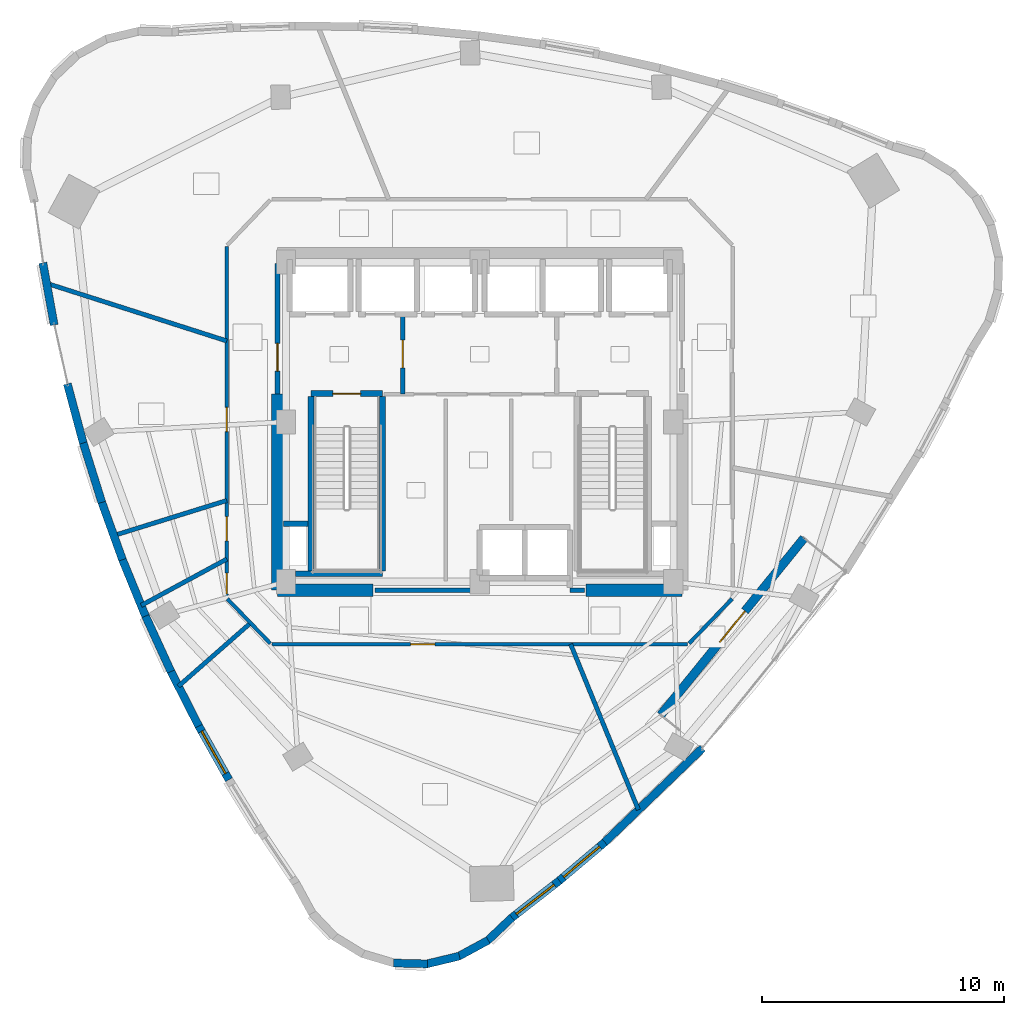
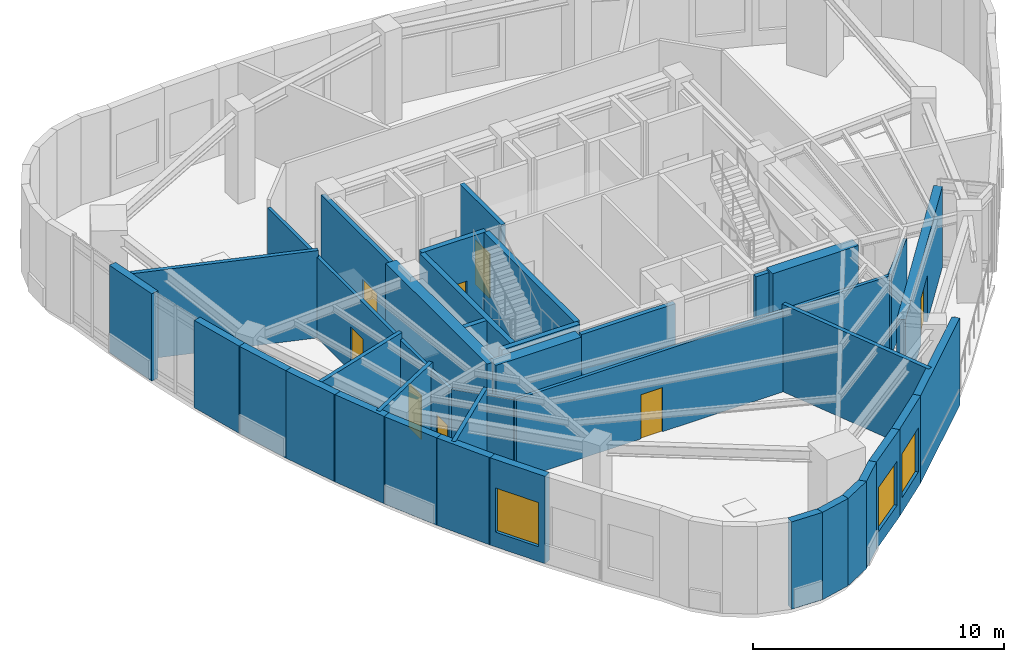
# One storey, part 8 of 14: 37 walls, 8 doors, 3 windows, 11 openings.
"""IFC4 building model written with IfcOpenShell, lengths in metres."""

from ifc_helpers import new_model, si_unit, direction, frame, frame_2d, origin, place, context, subcontext, project, spatial, rectangle, extrude, material, layer, layer_set, type_object, element, fill, save


model = new_model("IFC4")

# Units and contexts
model_context = context("Model", 3, precision=1e-05, world=origin(), true_north=direction((0.0, 1.0)))
body_context = subcontext(model_context, "Body", "Model", "MODEL_VIEW")
ifc_project = project(units=[si_unit("LENGTHUNIT", "METRE"), si_unit("AREAUNIT", "SQUARE_METRE"), si_unit("VOLUMEUNIT", "CUBIC_METRE"), si_unit("PLANEANGLEUNIT", "RADIAN"), si_unit("MASSUNIT", "GRAM", prefix="KILO")], contexts=[model_context])

# Site, building, storey
site_placement = place(None, origin())
site = spatial("IfcSite", under=ifc_project, at=site_placement, CompositionType="ELEMENT")
building_placement = place(site_placement, origin())
building = spatial("IfcBuilding", under=site, at=building_placement, Name="Ndelora Gate Hotel", CompositionType="ELEMENT")
storey_placement = place(building_placement, frame((0.0, 0.0, 178.25)))
storey = spatial("IfcBuildingStorey", under=building, at=storey_placement, Name="L44", CompositionType="ELEMENT", Elevation=178.25)

# Walls
ifc_material_1 = material(Name="Acoustic Double-Stud Gypsum Assembly", Category="gypsum")
ifc_layer_1 = layer(ifc_material_1, 0.179931640625)
ifc_layer_set_1 = layer_set([ifc_layer_1], Name="Acoustic Double-Stud Gypsum Assembly")
wall_type_1 = type_object("IfcWallType", Name="WL-ACOUST-180", PredefinedType="PARTITIONING", material=ifc_layer_set_1)
wall_1_placement = place(storey_placement, frame((-9.464111328125, -8.3037109375, 0.0), z_axis=(0.0, 0.0, 1.0), x_axis=(-0.75170982187, -0.659494005813, 0.0)))
element("IfcWall", 1, at=wall_1_placement, inside=storey, type_object=wall_type_1, Name="L44 Interior Wall IW-3", PredefinedType="PARTITIONING", context=body_context, shape_type="SweptSolid", body=[
    extrude(rectangle(XDim=3.96337890625, YDim=0.179931640625, at=frame_2d((1.981689453125, 0.0))), origin(), (0.0, 0.0, 1.0), 4.25),
])
wall_2_placement = place(storey_placement, frame((3.755615234375, -9.179931640625, 0.0), z_axis=(0.0, 0.0, 1.0), x_axis=(0.378655991799, -0.925537487018, 0.0)))
element("IfcWall", 2, at=wall_2_placement, inside=storey, type_object=wall_type_1, Name="L44 Interior Wall IW-3", PredefinedType="PARTITIONING", context=body_context, shape_type="SweptSolid", body=[
    extrude(rectangle(XDim=7.392822265625, YDim=0.179931640625, at=frame_2d((3.6962890625, 0.0))), origin(), (0.0, 0.0, 1.0), 4.25),
])
wall_3_placement = place(storey_placement, frame((-10.449951171875, 3.34521484375, 0.0), z_axis=(0.0, 0.0, 1.0), x_axis=(-0.95239692853, 0.304860772365, 0.0)))
element("IfcWall", 3, at=wall_3_placement, inside=storey, type_object=wall_type_1, Name="L44 Interior Wall IW-3", PredefinedType="PARTITIONING", context=body_context, shape_type="SweptSolid", body=[
    extrude(rectangle(XDim=7.81201171875, YDim=0.179931640625, at=frame_2d((3.906005859375, 0.0))), origin(), (0.0, 0.0, 1.0), 4.25),
])
wall_4_placement = place(storey_placement, frame((-10.449951171875, -3.244873046875, 0.0), z_axis=(0.0, 0.0, 1.0), x_axis=(-0.955028022871, -0.296515556981, 0.0)))
element("IfcWall", 4, at=wall_4_placement, inside=storey, type_object=wall_type_1, Name="L44 Interior Wall IW-3", PredefinedType="PARTITIONING", context=body_context, shape_type="SweptSolid", body=[
    extrude(rectangle(XDim=4.88427734375, YDim=0.179931640625, at=frame_2d((2.442138671875, 0.0))), origin(), (0.0, 0.0, 1.0), 4.25),
])
wall_5_placement = place(storey_placement, frame((-10.449951171875, -5.665283203125, 0.0), z_axis=(0.0, 0.0, 1.0), x_axis=(-0.879150933039, -0.476543426077, 0.0)))
element("IfcWall", 5, at=wall_5_placement, inside=storey, type_object=wall_type_1, Name="L44 Interior Wall IW-3", PredefinedType="PARTITIONING", context=body_context, shape_type="SweptSolid", body=[
    extrude(rectangle(XDim=4.0185546875, YDim=0.179931640625, at=frame_2d((2.00927734375, 0.0))), origin(), (0.0, 0.0, 1.0), 4.25),
])
ifc_material_2 = material(Name="Clay Brick Masonry", Category="masonry")
ifc_layer_2 = layer(ifc_material_2, 0.330078125)
ifc_layer_set_2 = layer_set([ifc_layer_2], Name="Clay Brick Masonry")
wall_type_2 = type_object("IfcWallType", Name="WL-BRICK-330", PredefinedType="SOLIDWALL", material=ifc_layer_set_2)
wall_6_placement = place(storey_placement, frame((-17.576904296875, 4.004638671875, 0.0), z_axis=(0.0, 0.0, 1.0), x_axis=(-0.178943058868, 0.983859431872, 0.0)))
element("IfcWall", 6, at=wall_6_placement, inside=storey, type_object=wall_type_2, Name="L44 Tower Brick Pier-and-Spandrel Wall TWR-10", PredefinedType="SOLIDWALL", context=body_context, shape_type="SweptSolid", body=[
    extrude(rectangle(XDim=2.610107421875, YDim=0.330078125, at=frame_2d((1.30517578125, 0.0))), origin(), (0.0, 0.0, 1.0), 4.25),
])
wall_7_placement = place(storey_placement, frame((-16.36328125, -0.918701171875, 0.0), z_axis=(0.0, 0.0, 1.0), x_axis=(-0.258982112339, 0.965882117801, 0.0)))
element("IfcWall", 7, at=wall_7_placement, inside=storey, type_object=wall_type_2, Name="L44 Tower Brick Pier-and-Spandrel Wall TWR-12", PredefinedType="SOLIDWALL", context=body_context, shape_type="SweptSolid", body=[
    extrude(rectangle(XDim=2.5791015625, YDim=0.330078125, at=frame_2d((1.28955078125, 0.0))), origin(), (0.0, 0.0, 1.0), 4.25),
])
wall_8_placement = place(storey_placement, frame((-15.6083984375, -3.32373046875, 0.0), z_axis=(0.0, 0.0, 1.0), x_axis=(-0.299080665224, 0.954227832171, 0.0)))
element("IfcWall", 8, at=wall_8_placement, inside=storey, type_object=wall_type_2, Name="L44 Tower Brick Pier-and-Spandrel Wall TWR-13", PredefinedType="SOLIDWALL", context=body_context, shape_type="SweptSolid", body=[
    extrude(rectangle(XDim=2.570556640625, YDim=0.330078125, at=frame_2d((1.28515625, 0.0))), origin(), (0.0, 0.0, 1.0), 4.25),
])
wall_9_placement = place(storey_placement, frame((-14.75537109375, -5.69091796875, 0.0), z_axis=(0.0, 0.0, 1.0), x_axis=(-0.338685779509, 0.940899539142, 0.0)))
element("IfcWall", 9, at=wall_9_placement, inside=storey, type_object=wall_type_2, Name="L44 Tower Brick Pier-and-Spandrel Wall TWR-14", PredefinedType="SOLIDWALL", context=body_context, shape_type="SweptSolid", body=[
    extrude(rectangle(XDim=2.566162109375, YDim=0.330078125, at=frame_2d((1.283203125, 0.0))), origin(), (0.0, 0.0, 1.0), 4.25),
])
wall_10_placement = place(storey_placement, frame((-13.8037109375, -8.02001953125, 0.0), z_axis=(0.0, 0.0, 1.0), x_axis=(-0.377828752797, 0.925875495712, 0.0)))
element("IfcWall", 10, at=wall_10_placement, inside=storey, type_object=wall_type_2, Name="L44 Tower Brick Pier-and-Spandrel Wall TWR-15", PredefinedType="SOLIDWALL", context=body_context, shape_type="SweptSolid", body=[
    extrude(rectangle(XDim=2.56591796875, YDim=0.330078125, at=frame_2d((1.282958984375, 0.0))), origin(), (0.0, 0.0, 1.0), 4.25),
])
wall_11_placement = place(storey_placement, frame((-12.75341796875, -10.311279296875, 0.0), z_axis=(0.0, 0.0, 1.0), x_axis=(-0.416291659672, 0.909231133479, 0.0)))
element("IfcWall", 11, at=wall_11_placement, inside=storey, type_object=wall_type_2, Name="L44 Tower Brick Pier-and-Spandrel Wall TWR-16", PredefinedType="SOLIDWALL", context=body_context, shape_type="SweptSolid", body=[
    extrude(rectangle(XDim=2.570556640625, YDim=0.330078125, at=frame_2d((1.28515625, 0.0))), origin(), (0.0, 0.0, 1.0), 4.25),
])
wall_12_placement = place(storey_placement, frame((-11.6044921875, -12.564697265625, 0.0), z_axis=(0.0, 0.0, 1.0), x_axis=(-0.453789648634, 0.891108834426, 0.0)))
element("IfcWall", 12, at=wall_12_placement, inside=storey, type_object=wall_type_2, Name="L44 Tower Brick Pier-and-Spandrel Wall TWR-17", PredefinedType="SOLIDWALL", context=body_context, shape_type="SweptSolid", body=[
    extrude(rectangle(XDim=2.5791015625, YDim=0.330078125, at=frame_2d((1.28955078125, 0.0))), origin(), (0.0, 0.0, 1.0), 4.25),
])

# Wall, opening, window
wall_13_placement = place(storey_placement, frame((-10.357177734375, -14.780517578125, 0.0), z_axis=(0.0, 0.0, 1.0), x_axis=(-0.490225473104, 0.871595654831, 0.0)))
wall_13 = element("IfcWall", 13, at=wall_13_placement, inside=storey, type_object=wall_type_2, Name="L44 Tower Brick Pier-and-Spandrel Wall TWR-18", PredefinedType="SOLIDWALL", context=body_context, shape_type="SweptSolid", body=[
    extrude(rectangle(XDim=2.5927734375, YDim=0.330078125, at=frame_2d((1.29638671875, 0.0))), origin(), (0.0, 0.0, 1.0), 4.25),
])
opening_1_placement = place(wall_13_placement, frame((0.29638671875, 0.0, 0.719970703125)))
opening_1 = element("IfcOpeningElement", 14, at=opening_1_placement, cuts=wall_13, Name="Opening W05", PredefinedType="OPENING", context=body_context, shape_type="SweptSolid", body=[
    extrude(rectangle(XDim=2.0, YDim=2.14990234375, at=frame_2d((1.0, 1.074951171875))), frame((0.0, 0.175048828125, 0.0), z_axis=(0.0, -1.0, 0.0), x_axis=(1.0, 0.0, 0.0)), (0.0, 0.0, 1.0), 0.35009765625),
])
ifc_material_3 = material(Name="Insulated Low-E Double Glazing in Bronze Aluminium Frame", Category="aluminium")
window_type = type_object("IfcWindowType", Name="WN-SKY-2000", PartitioningType="SINGLE_PANEL", PredefinedType="WINDOW", material=ifc_material_3)
window_1_placement = place(opening_1_placement, origin())
window_1 = element("IfcWindow", 15, at=window_1_placement, inside=storey, type_object=window_type, Name="L44 Deep-Set Brick-Pier Window W05", OverallHeight=2.14990234375, OverallWidth=2.0, PartitioningType="SINGLE_PANEL", PredefinedType="WINDOW", context=body_context, shape_type="SweptSolid", body=[
    extrude(rectangle(XDim=2.0, YDim=2.14990234375, at=frame_2d((1.0, 1.074951171875))), frame((0.0, 0.030029296875, 0.0), z_axis=(0.0, -1.0, 0.0), x_axis=(1.0, 0.0, 0.0)), (0.0, 0.0, 1.0), 0.06005859375),
])
fill(opening_1, window_1)

# Walls
wall_14_placement = place(storey_placement, frame((-2.15771484375, -22.385986328125, 0.0), z_axis=(0.0, 0.0, 1.0), x_axis=(-0.999656913907, 0.02619264168, 0.0)))
element("IfcWall", 16, at=wall_14_placement, inside=storey, type_object=wall_type_2, Name="L44 Tower Brick Pier-and-Spandrel Wall TWR-25", PredefinedType="SOLIDWALL", context=body_context, shape_type="SweptSolid", body=[
    extrude(rectangle(XDim=1.407470703125, YDim=0.330078125, at=frame_2d((0.70361328125, 0.0))), origin(), (0.0, 0.0, 1.0), 4.25),
])
wall_15_placement = place(storey_placement, frame((-0.838623046875, -22.0625, 0.0), z_axis=(0.0, 0.0, 1.0), x_axis=(-0.972355799013, -0.23350417582, 0.0)))
element("IfcWall", 17, at=wall_15_placement, inside=storey, type_object=wall_type_2, Name="L44 Tower Brick Pier-and-Spandrel Wall TWR-26", PredefinedType="SOLIDWALL", context=body_context, shape_type="SweptSolid", body=[
    extrude(rectangle(XDim=1.4072265625, YDim=0.330078125, at=frame_2d((0.70361328125, 0.0))), origin(), (0.0, 0.0, 1.0), 4.25),
])
for number, where, z_axis, x_axis, name in (
    (18, (0.35205078125, -21.40869140625, 0.0), (0.0, 0.0, 1.0), (-0.8789012206, -0.47700382014, 0.0), "L44 Tower Brick Pier-and-Spandrel Wall TWR-27"),
    (19, (1.3330078125, -20.468994140625, 0.0), (0.0, 0.0, 1.0), (-0.725423722687, -0.688302566146, 0.0), "L44 Tower Brick Pier-and-Spandrel Wall TWR-28"),
):
    element("IfcWall", number, at=place(storey_placement, frame(where, z_axis=z_axis, x_axis=x_axis)), inside=storey, type_object=wall_type_2, Name=name, PredefinedType="SOLIDWALL", context=body_context, shape_type="SweptSolid", body=[
        extrude(rectangle(XDim=1.407470703125, YDim=0.330078125, at=frame_2d((0.70361328125, 0.0))), origin(), (0.0, 0.0, 1.0), 4.25),
    ])

# Wall, opening, window
wall_16_placement = place(storey_placement, frame((3.288818359375, -18.946044921875, 0.0), z_axis=(0.0, 0.0, 1.0), x_axis=(-0.788384305727, -0.615183051199, 0.0)))
wall_16 = element("IfcWall", 20, at=wall_16_placement, inside=storey, type_object=wall_type_2, Name="L44 Tower Brick Pier-and-Spandrel Wall TWR-29", PredefinedType="SOLIDWALL", context=body_context, shape_type="SweptSolid", body=[
    extrude(rectangle(XDim=2.52880859375, YDim=0.330078125, at=frame_2d((1.264404296875, 0.0))), origin(), (0.0, 0.0, 1.0), 4.25),
])
opening_2_placement = place(wall_16_placement, frame((0.279296875, 0.0, 0.719970703125)))
opening_2 = element("IfcOpeningElement", 21, at=opening_2_placement, cuts=wall_16, Name="Opening W05", PredefinedType="OPENING", context=body_context, shape_type="SweptSolid", body=[
    extrude(rectangle(XDim=1.969970703125, YDim=2.14990234375, at=frame_2d((0.98486328125, 1.074951171875))), frame((0.0, 0.175048828125, 0.0), z_axis=(0.0, -1.0, 0.0), x_axis=(1.0, 0.0, 0.0)), (0.0, 0.0, 1.0), 0.35009765625),
])
window_2_placement = place(opening_2_placement, origin())
window_2 = element("IfcWindow", 22, at=window_2_placement, inside=storey, type_object=window_type, Name="L44 Deep-Set Brick-Pier Window W05", OverallHeight=2.14990234375, OverallWidth=1.969970703125, PartitioningType="SINGLE_PANEL", PredefinedType="WINDOW", context=body_context, shape_type="SweptSolid", body=[
    extrude(rectangle(XDim=1.969970703125, YDim=2.14990234375, at=frame_2d((0.98486328125, 1.074951171875))), frame((0.0, 0.030029296875, 0.0), z_axis=(0.0, -1.0, 0.0), x_axis=(1.0, 0.0, 0.0)), (0.0, 0.0, 1.0), 0.06005859375),
])
fill(opening_2, window_2)

wall_17_placement = place(storey_placement, frame((5.167236328125, -17.359375, 0.0), z_axis=(0.0, 0.0, 1.0), x_axis=(-0.764194051391, -0.644986396615, 0.0)))
wall_17 = element("IfcWall", 23, at=wall_17_placement, inside=storey, type_object=wall_type_2, Name="L44 Tower Brick Pier-and-Spandrel Wall TWR-30", PredefinedType="SOLIDWALL", context=body_context, shape_type="SweptSolid", body=[
    extrude(rectangle(XDim=2.5087890625, YDim=0.330078125, at=frame_2d((1.25439453125, 0.0))), origin(), (0.0, 0.0, 1.0), 4.25),
])
opening_3_placement = place(wall_17_placement, frame((0.279296875, 0.0, 0.719970703125)))
opening_3 = element("IfcOpeningElement", 24, at=opening_3_placement, cuts=wall_17, Name="Opening W05", PredefinedType="OPENING", context=body_context, shape_type="SweptSolid", body=[
    extrude(rectangle(XDim=1.949951171875, YDim=2.14990234375, at=frame_2d((0.97509765625, 1.074951171875))), frame((0.0, 0.175048828125, 0.0), z_axis=(0.0, -1.0, 0.0), x_axis=(1.0, 0.0, 0.0)), (0.0, 0.0, 1.0), 0.35009765625),
])
window_3_placement = place(opening_3_placement, origin())
window_3 = element("IfcWindow", 25, at=window_3_placement, inside=storey, type_object=window_type, Name="L44 Deep-Set Brick-Pier Window W05", OverallHeight=2.14990234375, OverallWidth=1.949951171875, PartitioningType="SINGLE_PANEL", PredefinedType="WINDOW", context=body_context, shape_type="SweptSolid", body=[
    extrude(rectangle(XDim=1.949951171875, YDim=2.14990234375, at=frame_2d((0.97509765625, 1.074951171875))), frame((0.0, 0.030029296875, 0.0), z_axis=(0.0, -1.0, 0.0), x_axis=(1.0, 0.0, 0.0)), (0.0, 0.0, 1.0), 0.06005859375),
])
fill(opening_3, window_3)

# Wall
wall_18_placement = place(storey_placement, frame((9.206787109375, -13.471435546875, 0.0), z_axis=(0.0, 0.0, 1.0), x_axis=(-0.720698692284, -0.693248436667, 0.0)))
element("IfcWall", 26, at=wall_18_placement, inside=storey, type_object=wall_type_2, Name="L44 Tower Brick Pier-and-Spandrel Wall TWR-31", PredefinedType="SOLIDWALL", context=body_context, shape_type="SweptSolid", body=[
    extrude(rectangle(XDim=5.656494140625, YDim=0.330078125, at=frame_2d((2.828125, 0.0))), origin(), (0.0, 0.0, 1.0), 4.25),
])

# Wall, opening, door
ifc_layer_3 = layer(ifc_material_2, 0.360107421875)
ifc_layer_set_3 = layer_set([ifc_layer_3], Name="Clay Brick Masonry")
wall_type_3 = type_object("IfcWallType", Name="WL-BRICK-360", PredefinedType="SOLIDWALL", material=ifc_layer_set_3)
wall_19_placement = place(storey_placement, frame((13.394775390625, -4.799072265625, 0.0), z_axis=(0.0, 0.0, 1.0), x_axis=(-0.629314777839, -0.777150506912, 0.0)))
wall_19 = element("IfcWall", 27, at=wall_19_placement, inside=storey, type_object=wall_type_3, Name="L44 Sky-Garden Loggia Rear Brick Wall", PredefinedType="SOLIDWALL", context=body_context, shape_type="SweptSolid", body=[
    extrude(rectangle(XDim=9.39990234375, YDim=0.360107421875, at=frame_2d((4.699951171875, 0.0))), origin(), (0.0, 0.0, 1.0), 3.929931640625),
])
opening_4_placement = place(wall_19_placement, frame((3.875, 0.0, 0.0)))
opening_4 = element("IfcOpeningElement", 28, at=opening_4_placement, cuts=wall_19, Name="Opening TD1", PredefinedType="OPENING", context=body_context, shape_type="SweptSolid", body=[
    extrude(rectangle(XDim=1.64990234375, YDim=2.25, at=frame_2d((0.824951171875, 1.125))), frame((0.0, 0.18994140625, 0.0), z_axis=(0.0, -1.0, 0.0), x_axis=(1.0, 0.0, 0.0)), (0.0, 0.0, 1.0), 0.380126953125),
])
ifc_material_4 = material(Name="Architectural Bronze Glazed Door", Category="metal")
door_type_1 = type_object("IfcDoorType", Name="DR-TER-1650", OperationType="DOUBLE_DOOR_SINGLE_SWING", PredefinedType="DOOR", material=ifc_material_4)
door_1_placement = place(opening_4_placement, origin())
door_1 = element("IfcDoor", 29, at=door_1_placement, inside=storey, type_object=door_type_1, Name="L44 Sky-Garden Terrace Double Door TD1", OperationType="DOUBLE_DOOR_SINGLE_SWING", OverallHeight=2.25, OverallWidth=1.64990234375, PredefinedType="DOOR", context=body_context, shape_type="SweptSolid", body=[
    extrude(rectangle(XDim=1.64990234375, YDim=2.25, at=frame_2d((0.824951171875, 1.125))), frame((0.0, 0.02490234375, 0.0), z_axis=(0.0, -1.0, 0.0), x_axis=(1.0, 0.0, 0.0)), (0.0, 0.0, 1.0), 0.050048828125),
])
fill(opening_4, door_1)

# Walls
ifc_material_5 = material(Name="Concrete C50/60", Category="concrete")
ifc_layer_4 = layer(ifc_material_5, 0.5)
ifc_layer_set_4 = layer_set([ifc_layer_4], Name="Concrete C50/60")
wall_type_4 = type_object("IfcWallType", Name="WL-CORE-500", PredefinedType="SHEAR", material=ifc_layer_set_4)
for number, where, z_axis, x_axis, name in (
    (30, (-8.35009765625, -6.949951171875, 0.0), (0.0, 0.0, 1.0), (1.0, 0.0, 0.0), "L44 Core Shear Wall S-W"),
    (31, (4.39990234375, -6.949951171875, 0.0), (0.0, 0.0, 1.0), (1.0, 0.0, 0.0), "L44 Core Shear Wall S-E"),
):
    element("IfcWall", number, at=place(storey_placement, frame(where, z_axis=z_axis, x_axis=x_axis)), inside=storey, type_object=wall_type_4, Name=name, PredefinedType="SHEAR", context=body_context, shape_type="SweptSolid", body=[
        extrude(rectangle(XDim=3.9501953125, YDim=0.5, at=frame_2d((1.97509765625, 0.0))), origin(), (0.0, 0.0, 1.0), 4.25),
    ])
wall_20_placement = place(storey_placement, frame((-8.35009765625, -6.949951171875, 0.0), z_axis=(0.0, 0.0, 1.0), x_axis=(0.0, 1.0, 0.0)))
element("IfcWall", 32, at=wall_20_placement, inside=storey, type_object=wall_type_4, Name="L44 Core Shear Wall W", PredefinedType="SHEAR", context=body_context, shape_type="SweptSolid", body=[
    extrude(rectangle(XDim=8.099853515625, YDim=0.5, at=frame_2d((4.0498046875, 0.0))), origin(), (0.0, 0.0, 1.0), 4.25),
])

# Wall, opening, door
ifc_material_6 = material(Name="Concrete C40/50", Category="concrete")
ifc_layer_5 = layer(ifc_material_6, 0.199951171875)
ifc_layer_set_5 = layer_set([ifc_layer_5], Name="Concrete C40/50")
wall_type_5 = type_object("IfcWallType", Name="WL-FIRE-200", PredefinedType="PARTITIONING", material=ifc_layer_set_5)
wall_21_placement = place(storey_placement, frame((-3.179931640625, 1.14990234375, 0.0), z_axis=(0.0, 0.0, 1.0), x_axis=(0.0, 1.0, 0.0)))
wall_21 = element("IfcWall", 33, at=wall_21_placement, inside=storey, type_object=wall_type_5, Name="L44 Interior Wall IW-2", PredefinedType="PARTITIONING", context=body_context, shape_type="SweptSolid", body=[
    extrude(rectangle(XDim=3.300048828125, YDim=0.199951171875, at=frame_2d((1.64990234375, 0.0))), origin(), (0.0, 0.0, 1.0), 4.25),
])
opening_5_placement = place(wall_21_placement, frame((1.080078125, 0.0, 0.0)))
opening_5 = element("IfcOpeningElement", 34, at=opening_5_placement, cuts=wall_21, Name="Opening FD1", PredefinedType="OPENING", context=body_context, shape_type="SweptSolid", body=[
    extrude(rectangle(XDim=1.14990234375, YDim=2.14990234375, at=frame_2d((0.574951171875, 1.074951171875))), frame((0.0, 0.10986328125, 0.0), z_axis=(0.0, -1.0, 0.0), x_axis=(1.0, 0.0, 0.0)), (0.0, 0.0, 1.0), 0.219970703125),
])
ifc_material_7 = material(Name="Fire-Rated Timber-Veneer Steel Core", Category="steel")
door_type_2 = type_object("IfcDoorType", Name="DR-FD60", OperationType="SINGLE_SWING_LEFT", PredefinedType="DOOR", material=ifc_material_7)
door_2_placement = place(opening_5_placement, origin())
door_2 = element("IfcDoor", 35, at=door_2_placement, inside=storey, type_object=door_type_2, Name="L44 Firefighting Lobby West Door", OperationType="SINGLE_SWING_RIGHT", OverallHeight=2.14990234375, OverallWidth=1.14990234375, PredefinedType="DOOR", context=body_context, shape_type="SweptSolid", body=[
    extrude(rectangle(XDim=1.14990234375, YDim=2.14990234375, at=frame_2d((0.574951171875, 1.074951171875))), frame((0.0, 0.02490234375, 0.0), z_axis=(0.0, -1.0, 0.0), x_axis=(1.0, 0.0, 0.0)), (0.0, 0.0, 1.0), 0.050048828125),
])
fill(opening_5, door_2)

wall_22_placement = place(storey_placement, frame((-8.35009765625, 1.14990234375, 0.0), z_axis=(0.0, 0.0, 1.0), x_axis=(0.0, 1.0, 0.0)))
wall_22 = element("IfcWall", 36, at=wall_22_placement, inside=storey, type_object=wall_type_5, Name="L44 Interior Wall IW-2", PredefinedType="PARTITIONING", context=body_context, shape_type="SweptSolid", body=[
    extrude(rectangle(XDim=5.400146484375, YDim=0.199951171875, at=frame_2d((2.7001953125, 0.0))), origin(), (0.0, 0.0, 1.0), 4.25),
])
opening_6_placement = place(wall_22_placement, frame((0.949951171875, 0.0, 0.0)))
opening_6 = element("IfcOpeningElement", 37, at=opening_6_placement, cuts=wall_22, Name="Opening FD1", PredefinedType="OPENING", context=body_context, shape_type="SweptSolid", body=[
    extrude(rectangle(XDim=1.14990234375, YDim=2.14990234375, at=frame_2d((0.574951171875, 1.074951171875))), frame((0.0, 0.10986328125, 0.0), z_axis=(0.0, -1.0, 0.0), x_axis=(1.0, 0.0, 0.0)), (0.0, 0.0, 1.0), 0.219970703125),
])
door_3_placement = place(opening_6_placement, origin())
door_3 = element("IfcDoor", 38, at=door_3_placement, inside=storey, type_object=door_type_2, Name="L44 Firefighting Lobby West Corridor Door", OperationType="SINGLE_SWING_LEFT", OverallHeight=2.14990234375, OverallWidth=1.14990234375, PredefinedType="DOOR", context=body_context, shape_type="SweptSolid", body=[
    extrude(rectangle(XDim=1.14990234375, YDim=2.14990234375, at=frame_2d((0.574951171875, 1.074951171875))), frame((0.0, 0.02490234375, 0.0), z_axis=(0.0, -1.0, 0.0), x_axis=(1.0, 0.0, 0.0)), (0.0, 0.0, 1.0), 0.050048828125),
])
fill(opening_6, door_3)

# Walls
wall_23_placement = place(storey_placement, frame((-4.320068359375, -6.949951171875, 0.0), z_axis=(0.0, 0.0, 1.0), x_axis=(1.0, 0.0, 0.0)))
element("IfcWall", 39, at=wall_23_placement, inside=storey, type_object=wall_type_5, Name="L44 Interior Wall IW-2", PredefinedType="PARTITIONING", context=body_context, shape_type="SweptSolid", body=[
    extrude(rectangle(XDim=4.320068359375, YDim=0.199951171875, at=frame_2d((2.16015625, 0.0))), origin(), (0.0, 0.0, 1.0), 4.25),
])
wall_24_placement = place(storey_placement, frame((3.719970703125, -6.949951171875, 0.0), z_axis=(0.0, 0.0, 1.0), x_axis=(1.0, 0.0, 0.0)))
element("IfcWall", 40, at=wall_24_placement, inside=storey, type_object=wall_type_5, Name="L44 Interior Wall IW-2", PredefinedType="PARTITIONING", context=body_context, shape_type="SweptSolid", body=[
    extrude(rectangle(XDim=0.60009765625, YDim=0.199951171875, at=frame_2d((0.300048828125, 0.0))), origin(), (0.0, 0.0, 1.0), 4.25),
])

# Wall, opening, door
ifc_material_8 = material(Name="Fire-Rated Gypsum Stud Partition", Category="gypsum")
ifc_layer_6 = layer(ifc_material_8, 0.14990234375)
ifc_layer_set_6 = layer_set([ifc_layer_6], Name="Fire-Rated Gypsum Stud Partition")
wall_type_6 = type_object("IfcWallType", Name="WL-PART-150", PredefinedType="PARTITIONING", material=ifc_layer_set_6)
wall_25_placement = place(storey_placement, frame((8.580078125, -9.179931640625, 0.0), z_axis=(0.0, 0.0, 1.0), x_axis=(-1.0, 0.0, 0.0)))
wall_25 = element("IfcWall", 41, at=wall_25_placement, inside=storey, type_object=wall_type_6, Name="L44 Interior Wall IW-5", PredefinedType="PARTITIONING", context=body_context, shape_type="SweptSolid", body=[
    extrude(rectangle(XDim=17.16015625, YDim=0.14990234375, at=frame_2d((8.580078125, 0.0))), origin(), (0.0, 0.0, 1.0), 3.929931640625),
])
opening_7_placement = place(wall_25_placement, frame((10.435791015625, 0.0, 0.0)))
opening_7 = element("IfcOpeningElement", 42, at=opening_7_placement, cuts=wall_25, Name="Opening D01", PredefinedType="OPENING", context=body_context, shape_type="SweptSolid", body=[
    extrude(rectangle(XDim=1.0, YDim=2.14990234375, at=frame_2d((0.5, 1.074951171875))), frame((0.0, 0.0849609375, 0.0), z_axis=(0.0, -1.0, 0.0), x_axis=(1.0, 0.0, 0.0)), (0.0, 0.0, 1.0), 0.169921875),
])
ifc_material_9 = material(Name="Acoustic Hardwood Guest Entrance Door", Category="wood")
door_type_3 = type_object("IfcDoorType", Name="DR-COR-1000", OperationType="SINGLE_SWING_LEFT", PredefinedType="DOOR", material=ifc_material_9)
door_4_placement = place(opening_7_placement, origin())
door_4 = element("IfcDoor", 43, at=door_4_placement, inside=storey, type_object=door_type_3, Name="L44 Altitude Fitness Cardio Gym Entrance Door", OperationType="SINGLE_SWING_LEFT", OverallHeight=2.14990234375, OverallWidth=1.0, PredefinedType="DOOR", context=body_context, shape_type="SweptSolid", body=[
    extrude(rectangle(XDim=1.0, YDim=2.14990234375, at=frame_2d((0.5, 1.074951171875))), frame((0.0, 0.02490234375, 0.0), z_axis=(0.0, -1.0, 0.0), x_axis=(1.0, 0.0, 0.0)), (0.0, 0.0, 1.0), 0.050048828125),
])
fill(opening_7, door_4)

# Wall
wall_26_placement = place(storey_placement, frame((10.42236328125, -7.308837890625, 0.0), z_axis=(0.0, 0.0, 1.0), x_axis=(-0.693764562202, -0.720201869085, 0.0)))
element("IfcWall", 44, at=wall_26_placement, inside=storey, type_object=wall_type_6, Name="L44 Interior Wall IW-5", PredefinedType="PARTITIONING", context=body_context, shape_type="SweptSolid", body=[
    extrude(rectangle(XDim=2.55810546875, YDim=0.14990234375, at=frame_2d((1.279052734375, 0.0))), origin(), (0.0, 0.0, 1.0), 3.929931640625),
])

# Wall, openings, doors
wall_27_placement = place(storey_placement, frame((-10.449951171875, -7.239990234375, 0.0), z_axis=(0.0, 0.0, 1.0), x_axis=(0.0, 1.0, 0.0)))
wall_27 = element("IfcWall", 45, at=wall_27_placement, inside=storey, type_object=wall_type_6, Name="L44 Interior Wall IW-5", PredefinedType="PARTITIONING", context=body_context, shape_type="SweptSolid", body=[
    extrude(rectangle(XDim=14.47998046875, YDim=0.14990234375, at=frame_2d((7.239990234375, 0.0))), origin(), (0.0, 0.0, 1.0), 3.929931640625),
])
opening_8_placement = place(wall_27_placement, frame((0.139892578125, 0.0, 0.0)))
opening_8 = element("IfcOpeningElement", 46, at=opening_8_placement, cuts=wall_27, Name="Opening D09", PredefinedType="OPENING", context=body_context, shape_type="SweptSolid", body=[
    extrude(rectangle(XDim=0.860107421875, YDim=2.050048828125, at=frame_2d((0.43017578125, 1.02490234375))), frame((0.0, 0.0849609375, 0.0), z_axis=(0.0, -1.0, 0.0), x_axis=(1.0, 0.0, 0.0)), (0.0, 0.0, 1.0), 0.169921875),
])
opening_9_placement = place(wall_27_placement, frame((2.323974609375, 0.0, 0.0)))
opening_9 = element("IfcOpeningElement", 47, at=opening_9_placement, cuts=wall_27, Name="Opening D01", PredefinedType="OPENING", context=body_context, shape_type="SweptSolid", body=[
    extrude(rectangle(XDim=1.0, YDim=2.14990234375, at=frame_2d((0.5, 1.074951171875))), frame((0.0, 0.0849609375, 0.0), z_axis=(0.0, -1.0, 0.0), x_axis=(1.0, 0.0, 0.0)), (0.0, 0.0, 1.0), 0.169921875),
])
opening_10_placement = place(wall_27_placement, frame((6.84033203125, 0.0, 0.0)))
opening_10 = element("IfcOpeningElement", 48, at=opening_10_placement, cuts=wall_27, Name="Opening D01", PredefinedType="OPENING", context=body_context, shape_type="SweptSolid", body=[
    extrude(rectangle(XDim=1.0, YDim=2.14990234375, at=frame_2d((0.5, 1.074951171875))), frame((0.0, 0.0849609375, 0.0), z_axis=(0.0, -1.0, 0.0), x_axis=(1.0, 0.0, 0.0)), (0.0, 0.0, 1.0), 0.169921875),
])
door_5_placement = place(opening_9_placement, origin())
door_5 = element("IfcDoor", 49, at=door_5_placement, inside=storey, type_object=door_type_3, Name="L44 Housekeeping and Linen Room Entrance Door", OperationType="SINGLE_SWING_LEFT", OverallHeight=2.14990234375, OverallWidth=1.0, PredefinedType="DOOR", context=body_context, shape_type="SweptSolid", body=[
    extrude(rectangle(XDim=1.0, YDim=2.14990234375, at=frame_2d((0.5, 1.074951171875))), frame((0.0, 0.02490234375, 0.0), z_axis=(0.0, -1.0, 0.0), x_axis=(1.0, 0.0, 0.0)), (0.0, 0.0, 1.0), 0.050048828125),
])
fill(opening_9, door_5)
door_6_placement = place(opening_10_placement, origin())
door_6 = element("IfcDoor", 50, at=door_6_placement, inside=storey, type_object=door_type_3, Name="L44 Fitness Changing Shower Room Entrance Door", OperationType="SINGLE_SWING_LEFT", OverallHeight=2.14990234375, OverallWidth=1.0, PredefinedType="DOOR", context=body_context, shape_type="SweptSolid", body=[
    extrude(rectangle(XDim=1.0, YDim=2.14990234375, at=frame_2d((0.5, 1.074951171875))), frame((0.0, 0.02490234375, 0.0), z_axis=(0.0, -1.0, 0.0), x_axis=(1.0, 0.0, 0.0)), (0.0, 0.0, 1.0), 0.050048828125),
])
fill(opening_10, door_6)
ifc_material_10 = material(Name="Painted Steel Compact Service Door", Category="steel")
door_type_4 = type_object("IfcDoorType", Name="DR-SER-860", OperationType="SINGLE_SWING_LEFT", PredefinedType="DOOR", material=ifc_material_10)
door_7_placement = place(opening_8_placement, origin())
door_7 = element("IfcDoor", 51, at=door_7_placement, inside=storey, type_object=door_type_4, Name="L44 Accessible WC Entrance Door", OperationType="SINGLE_SWING_RIGHT", OverallHeight=2.050048828125, OverallWidth=0.860107421875, PredefinedType="DOOR", context=body_context, shape_type="SweptSolid", body=[
    extrude(rectangle(XDim=0.860107421875, YDim=2.050048828125, at=frame_2d((0.43017578125, 1.02490234375))), frame((0.0, 0.02490234375, 0.0), z_axis=(0.0, -1.0, 0.0), x_axis=(1.0, 0.0, 0.0)), (0.0, 0.0, 1.0), 0.050048828125),
])
fill(opening_8, door_7)

# Walls
wall_28_placement = place(storey_placement, frame((-8.647705078125, -9.151123046875, 0.0), z_axis=(0.0, 0.0, 1.0), x_axis=(-0.693764562202, 0.720201869085, 0.0)))
element("IfcWall", 52, at=wall_28_placement, inside=storey, type_object=wall_type_6, Name="L44 Interior Wall IW-5", PredefinedType="PARTITIONING", context=body_context, shape_type="SweptSolid", body=[
    extrude(rectangle(XDim=2.55810546875, YDim=0.14990234375, at=frame_2d((1.279052734375, 0.0))), origin(), (0.0, 0.0, 1.0), 3.929931640625),
])
ifc_layer_7 = layer(ifc_material_6, 0.219970703125)
ifc_layer_set_7 = layer_set([ifc_layer_7], Name="Concrete C40/50")
wall_type_7 = type_object("IfcWallType", Name="WL-SHAFT-220", PredefinedType="PARTITIONING", material=ifc_layer_set_7)
wall_29_placement = place(storey_placement, frame((-8.10009765625, -4.199951171875, 0.0), z_axis=(0.0, 0.0, 1.0), x_axis=(1.0, 0.0, 0.0)))
element("IfcWall", 53, at=wall_29_placement, inside=storey, type_object=wall_type_7, Name="L44 Interior Wall IW-1", PredefinedType="PARTITIONING", context=body_context, shape_type="SweptSolid", body=[
    extrude(rectangle(XDim=1.010009765625, YDim=0.219970703125, at=frame_2d((0.5048828125, 0.0))), origin(), (0.0, 0.0, 1.0), 4.25),
])
ifc_layer_8 = layer(ifc_material_5, 0.239990234375)
ifc_layer_set_8 = layer_set([ifc_layer_8], Name="Concrete C50/60")
wall_type_8 = type_object("IfcWallType", Name="WL-STAIR-240", PredefinedType="SHEAR", material=ifc_layer_set_8)
wall_30_placement = place(storey_placement, frame((-6.969970703125, -6.159912109375, 0.0), z_axis=(0.0, 0.0, 1.0), x_axis=(0.0, 1.0, 0.0)))
element("IfcWall", 54, at=wall_30_placement, inside=storey, type_object=wall_type_8, Name="L44 Stair Core Shear Wall SW-ST", PredefinedType="SHEAR", context=body_context, shape_type="SweptSolid", body=[
    extrude(rectangle(XDim=7.219970703125, YDim=0.239990234375, at=frame_2d((3.60986328125, 0.0))), origin(), (0.0, 0.0, 1.0), 4.25),
])
wall_31_placement = place(storey_placement, frame((-7.60009765625, -6.27001953125, 0.0), z_axis=(0.0, 0.0, 1.0), x_axis=(1.0, 0.0, 0.0)))
element("IfcWall", 55, at=wall_31_placement, inside=storey, type_object=wall_type_8, Name="L44 Stair Core Shear Wall SW-ST", PredefinedType="SHEAR", context=body_context, shape_type="SweptSolid", body=[
    extrude(rectangle(XDim=3.590087890625, YDim=0.239990234375, at=frame_2d((1.794921875, 0.0))), origin(), (0.0, 0.0, 1.0), 4.25),
])
wall_32_placement = place(storey_placement, frame((-4.010009765625, -6.159912109375, 0.0), z_axis=(0.0, 0.0, 1.0), x_axis=(0.0, 1.0, 0.0)))
element("IfcWall", 56, at=wall_32_placement, inside=storey, type_object=wall_type_8, Name="L44 Stair Core Shear Wall SW-ST", PredefinedType="SHEAR", context=body_context, shape_type="SweptSolid", body=[
    extrude(rectangle(XDim=7.219970703125, YDim=0.239990234375, at=frame_2d((3.60986328125, 0.0))), origin(), (0.0, 0.0, 1.0), 4.25),
])

# Wall, opening, door
wall_33_placement = place(storey_placement, frame((-6.969970703125, 1.169921875, 0.0), z_axis=(0.0, 0.0, 1.0), x_axis=(1.0, 0.0, 0.0)))
wall_33 = element("IfcWall", 57, at=wall_33_placement, inside=storey, type_object=wall_type_8, Name="L44 Stair Core Shear Wall SW-ST", PredefinedType="SHEAR", context=body_context, shape_type="SweptSolid", body=[
    extrude(rectangle(XDim=2.9599609375, YDim=0.239990234375, at=frame_2d((1.47998046875, 0.0))), origin(), (0.0, 0.0, 1.0), 4.25),
])
opening_11_placement = place(wall_33_placement, frame((0.89990234375, 0.0, 0.0)))
opening_11 = element("IfcOpeningElement", 58, at=opening_11_placement, cuts=wall_33, Name="Opening FD1", PredefinedType="OPENING", context=body_context, shape_type="SweptSolid", body=[
    extrude(rectangle(XDim=1.14990234375, YDim=2.14990234375, at=frame_2d((0.574951171875, 1.074951171875))), frame((0.0, 0.1298828125, 0.0), z_axis=(0.0, -1.0, 0.0), x_axis=(1.0, 0.0, 0.0)), (0.0, 0.0, 1.0), 0.260009765625),
])
door_8_placement = place(opening_11_placement, origin())
door_8 = element("IfcDoor", 59, at=door_8_placement, inside=storey, type_object=door_type_2, Name="L44 Exit Stair ST4 Door", OperationType="SINGLE_SWING_LEFT", OverallHeight=2.14990234375, OverallWidth=1.14990234375, PredefinedType="DOOR", context=body_context, shape_type="SweptSolid", body=[
    extrude(rectangle(XDim=1.14990234375, YDim=2.14990234375, at=frame_2d((0.574951171875, 1.074951171875))), frame((0.0, 0.02490234375, 0.0), z_axis=(0.0, -1.0, 0.0), x_axis=(1.0, 0.0, 0.0)), (0.0, 0.0, 1.0), 0.050048828125),
])
fill(opening_11, door_8)

save(model, "model.ifc")
